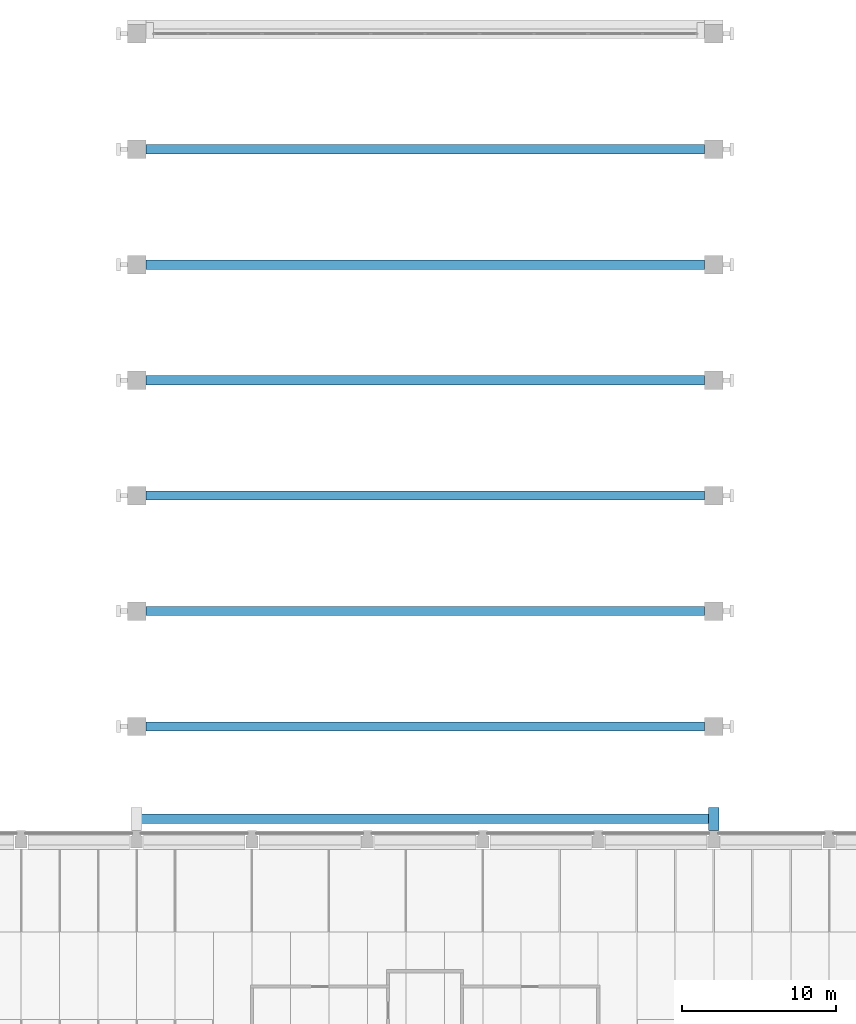
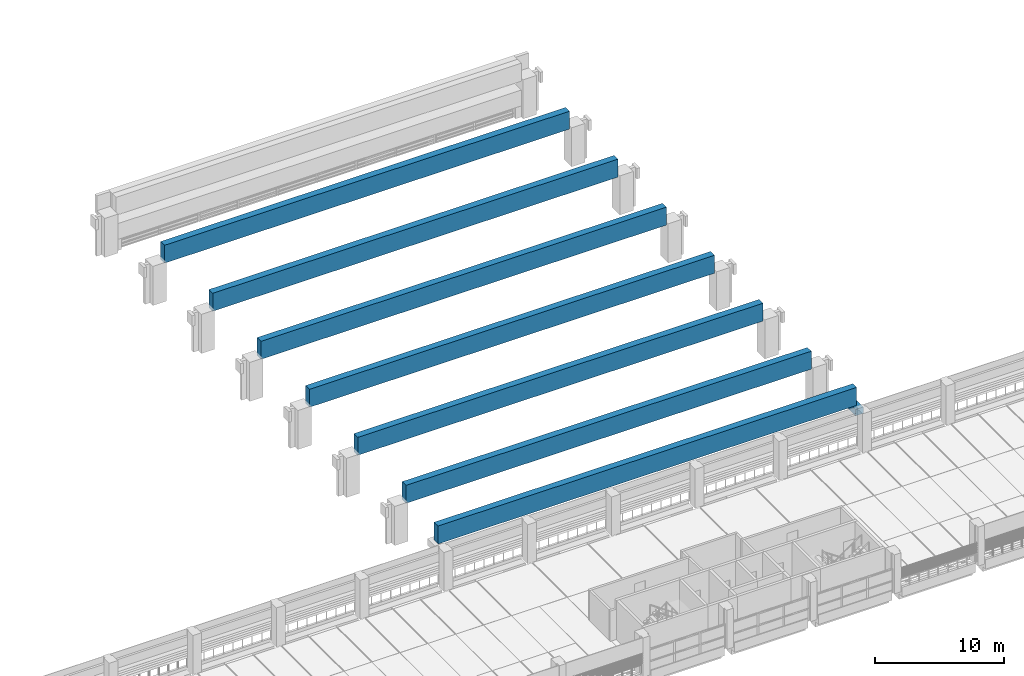
# One storey, part 14 of 61: 8 beams.
"""IFC4 building model written with IfcOpenShell, lengths in metres."""

from ifc_helpers import new_model, si_unit, direction, frame, origin, origin_2d, place, context, subcontext, project, spatial, rectangle, extrude, material, material_profile, profile_set, type_object, element, save


model = new_model("IFC4")

# Units and contexts
model_context = context("Model", 3, precision=1e-05, world=origin(), true_north=direction((0.0, 1.0)))
body_context = subcontext(model_context, "Body", "Model", "MODEL_VIEW")
ifc_project = project(units=[si_unit("LENGTHUNIT", "METRE"), si_unit("AREAUNIT", "SQUARE_METRE"), si_unit("VOLUMEUNIT", "CUBIC_METRE"), si_unit("PLANEANGLEUNIT", "RADIAN"), si_unit("MASSUNIT", "GRAM", prefix="KILO")], contexts=[model_context])

# Site, building, storey
site_placement = place(None, origin())
site = spatial("IfcSite", under=ifc_project, at=site_placement, CompositionType="ELEMENT")
building_placement = place(site_placement, origin())
building = spatial("IfcBuilding", under=site, at=building_placement, Name="Cour d'Honneur Mobility Palace", CompositionType="ELEMENT")
storey_placement = place(building_placement, frame((0.0, 0.0, 11.89990234375)))
storey = spatial("IfcBuildingStorey", under=building, at=storey_placement, Name="L03", CompositionType="ELEMENT", Elevation=11.89990234375)

# Beams
ifc_material_1 = material(Name="Concrete C50", Category="concrete")
ifc_material_profile_1 = material_profile(ifc_material_1, rectangle(XDim=0.699951171875, YDim=0.60009765625, at=origin_2d()), Name="Hall corbel 700x600")
ifc_profile_set_1 = profile_set([ifc_material_profile_1], Name="Concrete C50")
beam_type_1 = type_object("IfcBeamType", Name="Hall corbel 700x600", PredefinedType="BEAM", material=ifc_profile_set_1)
beam_1_placement = place(storey_placement, frame((99.89990234375, 63.14990234375, 3.10009765625), z_axis=(0.0, 1.0, 0.0), x_axis=(-1.0, 0.0, 0.0)))
element("IfcBeam", 1, at=beam_1_placement, inside=storey, type_object=beam_type_1, Name="Hall corbel CB-E", PredefinedType="BEAM", context=body_context, shape_type="SweptSolid", body=[
    extrude(rectangle(XDim=0.699951171875, YDim=0.60009765625, at=origin_2d()), origin(), (0.0, 0.0, 1.0), 1.5),
])
ifc_material_2 = material(Name="Concrete C50", Category="concrete")
ifc_material_profile_2 = material_profile(ifc_material_2, rectangle(XDim=0.60009765625, YDim=1.699951171875, at=origin_2d()), Name="Valley girder 600x1700")
ifc_profile_set_2 = profile_set([ifc_material_profile_2], Name="Concrete C50")
beam_type_2 = type_object("IfcBeamType", Name="Valley girder 600x1700", PredefinedType="BEAM", material=ifc_profile_set_2)
beam_2_placement = place(storey_placement, frame((62.39990234375, 63.89990234375, 4.25), z_axis=(1.0, 0.0, 0.0), x_axis=(0.0, 1.0, 0.0)))
element("IfcBeam", 2, at=beam_2_placement, inside=storey, type_object=beam_type_2, Name="Valley girder VG1", PredefinedType="BEAM", context=body_context, shape_type="SweptSolid", body=[
    extrude(rectangle(XDim=0.60009765625, YDim=1.699951171875, at=origin_2d()), origin(), (0.0, 0.0, 1.0), 37.5),
])
for number, where, z_axis, x_axis, name in (
    (3, (63.0, 69.89990234375, 4.25), (1.0, 0.0, 0.0), (0.0, 1.0, 0.0), "Valley girder VG2"),
    (4, (63.0, 77.39990234375, 4.25), (1.0, 0.0, 0.0), (0.0, 1.0, 0.0), "Valley girder VG3"),
    (5, (63.0, 84.89990234375, 4.25), (1.0, 0.0, 0.0), (0.0, 1.0, 0.0), "Valley girder VG4"),
    (6, (63.0, 92.39990234375, 4.25), (1.0, 0.0, 0.0), (0.0, 1.0, 0.0), "Valley girder VG5"),
    (7, (63.0, 99.89990234375, 4.25), (1.0, 0.0, 0.0), (0.0, 1.0, 0.0), "Valley girder VG6"),
    (8, (63.0, 107.39990234375, 4.25), (1.0, 0.0, 0.0), (0.0, 1.0, 0.0), "Valley girder VG7"),
):
    element("IfcBeam", number, at=place(storey_placement, frame(where, z_axis=z_axis, x_axis=x_axis)), inside=storey, type_object=beam_type_2, Name=name, PredefinedType="BEAM", context=body_context, shape_type="SweptSolid", body=[
        extrude(rectangle(XDim=0.60009765625, YDim=1.699951171875, at=origin_2d()), origin(), (0.0, 0.0, 1.0), 36.300048828125),
    ])

save(model, "model.ifc")
